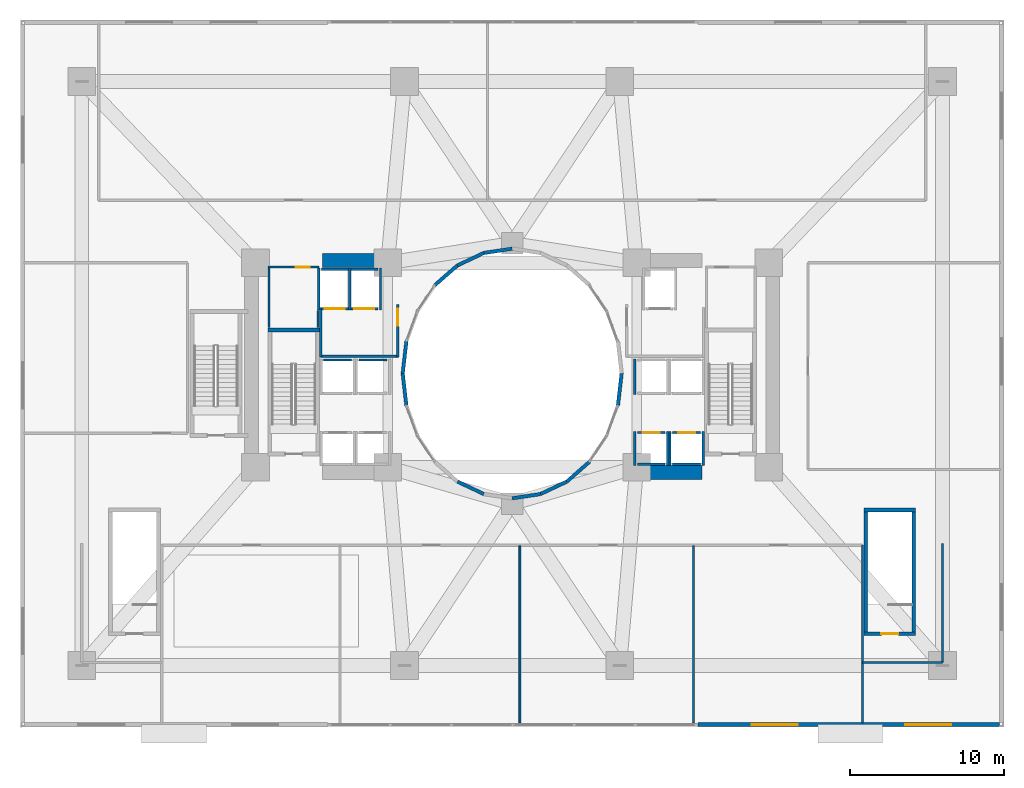
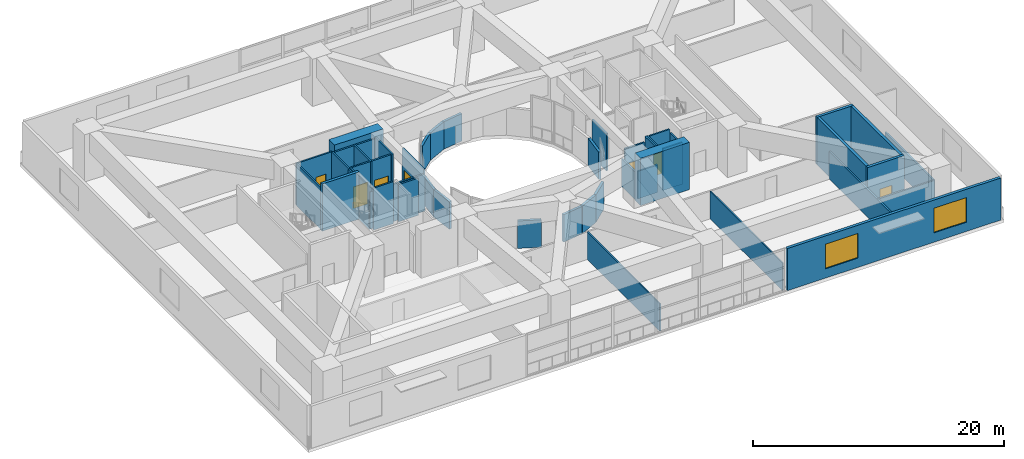
# One storey, part 19 of 27: 47 walls, 7 doors, 2 windows, 9 openings.
"""IFC4 building model written with IfcOpenShell, lengths in metres."""

from ifc_helpers import new_model, si_unit, direction, frame, frame_2d, origin, place, context, subcontext, project, spatial, rectangle, extrude, material, layer, layer_set, type_object, element, fill, save


model = new_model("IFC4")

# Units and contexts
model_context = context("Model", 3, precision=1e-05, world=origin(), true_north=direction((0.0, 1.0)))
body_context = subcontext(model_context, "Body", "Model", "MODEL_VIEW")
ifc_project = project(units=[si_unit("LENGTHUNIT", "METRE"), si_unit("AREAUNIT", "SQUARE_METRE"), si_unit("VOLUMEUNIT", "CUBIC_METRE"), si_unit("PLANEANGLEUNIT", "RADIAN"), si_unit("MASSUNIT", "GRAM", prefix="KILO")], contexts=[model_context])

# Site, building, storey
site_placement = place(None, origin())
site = spatial("IfcSite", under=ifc_project, at=site_placement, CompositionType="ELEMENT")
building_placement = place(site_placement, origin())
building = spatial("IfcBuilding", under=site, at=building_placement, Name="Solvane Sanctuary Tower", CompositionType="ELEMENT")
storey_placement = place(building_placement, frame((0.0, 0.0, 23.0)))
storey = spatial("IfcBuildingStorey", under=building, at=storey_placement, Name="L06", CompositionType="ELEMENT", Elevation=23.0)

# Walls
ifc_material_1 = material(Name="Concrete C70/85", Category="concrete")
ifc_layer_1 = layer(ifc_material_1, 0.89990234375, Name="Concrete C70/85")
ifc_layer_set_1 = layer_set([ifc_layer_1], Name="Concrete C70/85")
wall_type_1 = type_object("IfcWallType", Name="Wall W-CORE-900", PredefinedType="SHEAR", material=ifc_layer_set_1)
for number, where, z_axis, x_axis, name in (
    (1, (19.64990234375, 30.35009765625, 0.0), (0.0, 0.0, 1.0), (1.0, 0.0, 0.0), "L06 Core Shear Wall WC-N"),
    (2, (39.85009765625, 16.550048828125, 0.0), (0.0, 0.0, 1.0), (1.0, 0.0, 0.0), "L06 Core Shear Wall EC-S"),
):
    element("IfcWall", number, at=place(storey_placement, frame(where, z_axis=z_axis, x_axis=x_axis)), inside=storey, type_object=wall_type_1, Name=name, PredefinedType="SHEAR", context=body_context, shape_type="SweptSolid", body=[
        extrude(rectangle(XDim=4.5, YDim=0.89990234375, at=frame_2d((2.25, 0.0))), origin(), (0.0, 0.0, 1.0), 4.60009765625),
    ])
ifc_material_2 = material(Name="Acoustic Gypsum Partition Board")
ifc_layer_2 = layer(ifc_material_2, 0.14990234375, Name="Acoustic Gypsum Partition Board")
ifc_layer_set_2 = layer_set([ifc_layer_2], Name="Acoustic Gypsum Partition Board")
wall_type_2 = type_object("IfcWallType", Name="Wall W-CORR-150", PredefinedType="PARTITIONING", material=ifc_layer_set_2)
wall_1_placement = place(storey_placement, frame((19.52001953125, 24.1201171875, 0.0), z_axis=(0.0, 0.0, 1.0), x_axis=(1.0, 0.0, 0.0)))
element("IfcWall", 3, at=wall_1_placement, inside=storey, type_object=wall_type_2, Name="L06 West Firefighting Lobby South Wall", PredefinedType="PARTITIONING", context=body_context, shape_type="SweptSolid", body=[
    extrude(rectangle(XDim=5.080078125, YDim=0.14990234375, at=frame_2d((2.5400390625, 0.0))), origin(), (0.0, 0.0, 1.0), 3.6201171875),
])
wall_2_placement = place(storey_placement, frame((19.550048828125, 24.080078125, 0.0), z_axis=(0.0, 0.0, 1.0), x_axis=(0.0, 1.0, 0.0)))
element("IfcWall", 4, at=wall_2_placement, inside=storey, type_object=wall_type_2, Name="L06 West Firefighting Lobby West Wall", PredefinedType="PARTITIONING", context=body_context, shape_type="SweptSolid", body=[
    extrude(rectangle(XDim=3.199951171875, YDim=0.14990234375, at=frame_2d((1.60009765625, 0.0))), origin(), (0.0, 0.0, 1.0), 4.074951171875),
])

# Wall, opening, door
wall_3_placement = place(storey_placement, frame((24.550048828125, 24.080078125, 0.0), z_axis=(0.0, 0.0, 1.0), x_axis=(0.0, 1.0, 0.0)))
wall_3 = element("IfcWall", 5, at=wall_3_placement, inside=storey, type_object=wall_type_2, Name="L06 West Firefighting Lobby East Wall", PredefinedType="PARTITIONING", context=body_context, shape_type="SweptSolid", body=[
    extrude(rectangle(XDim=3.39990234375, YDim=0.14990234375, at=frame_2d((1.699951171875, 0.0))), origin(), (0.0, 0.0, 1.0), 4.074951171875),
])
opening_1_placement = place(wall_3_placement, frame((2.02001953125, 0.0, 0.0)))
opening_1 = element("IfcOpeningElement", 6, at=opening_1_placement, cuts=wall_3, Name="Opening D-L06-06", PredefinedType="OPENING", context=body_context, shape_type="SweptSolid", body=[
    extrude(rectangle(XDim=1.10009765625, YDim=2.10009765625, at=frame_2d((0.550048828125, 1.050048828125))), frame((0.0, 0.0849609375, 0.0), z_axis=(0.0, -1.0, 0.0), x_axis=(1.0, 0.0, 0.0)), (0.0, 0.0, 1.0), 0.169921875),
])
ifc_material_3 = material(Name="Architectural Stainless Steel 316", Category="steel")
door_type_1 = type_object("IfcDoorType", Name="Door D-FFL", OperationType="NOTDEFINED", PredefinedType="DOOR", material=ifc_material_3)
door_1_placement = place(opening_1_placement, origin())
door_1 = element("IfcDoor", 7, at=door_1_placement, inside=storey, type_object=door_type_1, Name="L06 West Firefighting Lobby Fire Door", OperationType="SINGLE_SWING_RIGHT", OverallHeight=2.10009765625, OverallWidth=1.10009765625, PredefinedType="DOOR", context=body_context, shape_type="SweptSolid", body=[
    extrude(rectangle(XDim=1.10009765625, YDim=2.10009765625, at=frame_2d((0.550048828125, 1.050048828125))), frame((0.0, 0.02490234375, 0.0), z_axis=(0.0, -1.0, 0.0), x_axis=(1.0, 0.0, 0.0)), (0.0, 0.0, 1.0), 0.050048828125),
])
fill(opening_1, door_1)

# Walls
wall_4_placement = place(storey_placement, frame((54.800048828125, 0.25, 0.0), z_axis=(0.0, 0.0, 1.0), x_axis=(0.0, 1.0, 0.0)))
element("IfcWall", 8, at=wall_4_placement, inside=storey, type_object=wall_type_2, Name="L06 East Hall End Wall", PredefinedType="PARTITIONING", context=body_context, shape_type="SweptSolid", body=[
    extrude(rectangle(XDim=11.580078125, YDim=0.14990234375, at=frame_2d((5.7900390625, 0.0))), origin(), (0.0, 0.0, 1.0), 2.669921875),
])
wall_5_placement = place(storey_placement, frame((60.0, 4.199951171875, 0.0), z_axis=(0.0, 0.0, 1.0), x_axis=(0.0, 1.0, 0.0)))
element("IfcWall", 9, at=wall_5_placement, inside=storey, type_object=wall_type_2, Name="L06 ST-5 Link East Wall", PredefinedType="PARTITIONING", context=body_context, shape_type="SweptSolid", body=[
    extrude(rectangle(XDim=7.75, YDim=0.14990234375, at=frame_2d((3.875, 0.0))), origin(), (0.0, 0.0, 1.0), 2.669921875),
])
wall_6_placement = place(storey_placement, frame((54.800048828125, 4.199951171875, 0.0), z_axis=(0.0, 0.0, 1.0), x_axis=(1.0, 0.0, 0.0)))
element("IfcWall", 10, at=wall_6_placement, inside=storey, type_object=wall_type_2, Name="L06 ST-5 Lobby South Wall", PredefinedType="PARTITIONING", context=body_context, shape_type="SweptSolid", body=[
    extrude(rectangle(XDim=5.199951171875, YDim=0.14990234375, at=frame_2d((2.60009765625, 0.0))), origin(), (0.0, 0.0, 1.0), 2.669921875),
])

# Wall, openings, windows
ifc_material_4 = material(Name="Precast concrete C40/50", Category="concrete")
ifc_layer_3 = layer(ifc_material_4, 0.260009765625, Name="Precast concrete C40/50")
ifc_layer_set_3 = layer_set([ifc_layer_3], Name="Precast concrete C40/50")
wall_type_3 = type_object("IfcWallType", Name="Wall W-EXT-250", PredefinedType="STANDARD", material=ifc_layer_set_3)
wall_7_placement = place(storey_placement, frame((44.080078125, 0.14990234375, 0.0), z_axis=(0.0, 0.0, 1.0), x_axis=(1.0, 0.0, 0.0)))
wall_7 = element("IfcWall", 11, at=wall_7_placement, inside=storey, type_object=wall_type_3, Name="L06 Podium Facade Wall S3", PredefinedType="STANDARD", context=body_context, shape_type="SweptSolid", body=[
    extrude(rectangle(XDim=19.639892578125, YDim=0.260009765625, at=frame_2d((9.81982421875, 0.0))), origin(), (0.0, 0.0, 1.0), 4.10009765625),
])
opening_2_placement = place(wall_7_placement, frame((3.5, 0.0, 0.89990234375)))
opening_2 = element("IfcOpeningElement", 12, at=opening_2_placement, cuts=wall_7, Name="Opening WN-POD-3000", PredefinedType="OPENING", context=body_context, shape_type="SweptSolid", body=[
    extrude(rectangle(XDim=3.0, YDim=2.39990234375, at=frame_2d((1.5, 1.199951171875))), frame((0.0, 0.139892578125, 0.0), z_axis=(0.0, -1.0, 0.0), x_axis=(1.0, 0.0, 0.0)), (0.0, 0.0, 1.0), 0.280029296875),
])
opening_3_placement = place(wall_7_placement, frame((13.5, 0.0, 0.89990234375)))
opening_3 = element("IfcOpeningElement", 13, at=opening_3_placement, cuts=wall_7, Name="Opening WN-POD-3000", PredefinedType="OPENING", context=body_context, shape_type="SweptSolid", body=[
    extrude(rectangle(XDim=3.0, YDim=2.39990234375, at=frame_2d((1.5, 1.199951171875))), frame((0.0, 0.139892578125, 0.0), z_axis=(0.0, -1.0, 0.0), x_axis=(1.0, 0.0, 0.0)), (0.0, 0.0, 1.0), 0.280029296875),
])
ifc_material_5 = material(Name="Dark Ceramic-Fritted Low-E Glass", Category="glass")
window_type = type_object("IfcWindowType", Name="Window WN-POD-3000", PartitioningType="SINGLE_PANEL", PredefinedType="WINDOW", material=ifc_material_5)
window_1_placement = place(opening_2_placement, origin())
window_1 = element("IfcWindow", 14, at=window_1_placement, inside=storey, type_object=window_type, Name="L06 Podium Window S3-3", OverallHeight=2.39990234375, OverallWidth=3.0, PartitioningType="SINGLE_PANEL", PredefinedType="WINDOW", context=body_context, shape_type="SweptSolid", body=[
    extrude(rectangle(XDim=3.0, YDim=2.39990234375, at=frame_2d((1.5, 1.199951171875))), frame((0.0, 0.030029296875, 0.0), z_axis=(0.0, -1.0, 0.0), x_axis=(1.0, 0.0, 0.0)), (0.0, 0.0, 1.0), 0.06005859375),
])
fill(opening_2, window_1)
window_2_placement = place(opening_3_placement, origin())
window_2 = element("IfcWindow", 15, at=window_2_placement, inside=storey, type_object=window_type, Name="L06 Podium Window S3-13", OverallHeight=2.39990234375, OverallWidth=3.0, PartitioningType="SINGLE_PANEL", PredefinedType="WINDOW", context=body_context, shape_type="SweptSolid", body=[
    extrude(rectangle(XDim=3.0, YDim=2.39990234375, at=frame_2d((1.5, 1.199951171875))), frame((0.0, 0.030029296875, 0.0), z_axis=(0.0, -1.0, 0.0), x_axis=(1.0, 0.0, 0.0)), (0.0, 0.0, 1.0), 0.06005859375),
])
fill(opening_3, window_2)

# Walls
ifc_layer_4 = layer(ifc_material_4, 0.22998046875, Name="Precast concrete C40/50")
ifc_layer_set_4 = layer_set([ifc_layer_4], Name="Precast concrete C40/50")
wall_type_4 = type_object("IfcWallType", Name="Wall W-EXT-SP220", PredefinedType="STANDARD", material=ifc_layer_set_4)
wall_8_placement = place(storey_placement, frame((32.0, 31.1201171875, 0.0), z_axis=(0.0, 0.0, 1.0), x_axis=(-0.988901730308, -0.148571086668, 0.0)))
element("IfcWall", 16, at=wall_8_placement, inside=storey, type_object=wall_type_4, Name="L06 Light-Well Enclosure Wall 06", PredefinedType="STANDARD", context=body_context, shape_type="SweptSolid", body=[
    extrude(rectangle(XDim=1.863525390625, YDim=0.22998046875, at=frame_2d((0.931640625, 0.0))), origin(), (0.0, 0.0, 1.0), 2.669921875),
])
wall_9_placement = place(storey_placement, frame((30.1572265625, 30.84326171875, 0.0), z_axis=(0.0, 0.0, 1.0), x_axis=(-0.904179699603, -0.427152280606, 0.0)))
element("IfcWall", 17, at=wall_9_placement, inside=storey, type_object=wall_type_4, Name="L06 Light-Well Enclosure Wall 07", PredefinedType="STANDARD", context=body_context, shape_type="SweptSolid", body=[
    extrude(rectangle(XDim=1.899169921875, YDim=0.22998046875, at=frame_2d((0.94970703125, 0.0))), origin(), (0.0, 0.0, 1.0), 2.669921875),
])
wall_10_placement = place(storey_placement, frame((28.43994140625, 30.031982421875, 0.0), z_axis=(0.0, 0.0, 1.0), x_axis=(-0.752576694707, -0.658504607869, 0.0)))
element("IfcWall", 18, at=wall_10_placement, inside=storey, type_object=wall_type_4, Name="L06 Light-Well Enclosure Wall 08", PredefinedType="STANDARD", context=body_context, shape_type="SweptSolid", body=[
    extrude(rectangle(XDim=1.95947265625, YDim=0.22998046875, at=frame_2d((0.979736328125, 0.0))), origin(), (0.0, 0.0, 1.0), 2.669921875),
])
for number, where, z_axis, x_axis, name in (
    (19, (25.12255859375, 25.1015625, 0.0), (0.0, 0.0, 1.0), (-0.114711713601, -0.993398823617, 0.0), "L06 Light-Well Enclosure Wall 11"),
    (20, (24.8798828125, 23.0, 0.0), (0.0, 0.0, 1.0), (0.114711713601, -0.993398823617, 0.0), "L06 Light-Well Enclosure Wall 12"),
):
    element("IfcWall", number, at=place(storey_placement, frame(where, z_axis=z_axis, x_axis=x_axis)), inside=storey, type_object=wall_type_4, Name=name, PredefinedType="STANDARD", context=body_context, shape_type="SweptSolid", body=[
        extrude(rectangle(XDim=2.115478515625, YDim=0.22998046875, at=frame_2d((1.0576171875, 0.0))), origin(), (0.0, 0.0, 1.0), 2.669921875),
    ])
wall_11_placement = place(storey_placement, frame((28.43994140625, 15.968017578125, 0.0), z_axis=(0.0, 0.0, 1.0), x_axis=(0.904179699603, -0.427152280606, 0.0)))
element("IfcWall", 21, at=wall_11_placement, inside=storey, type_object=wall_type_4, Name="L06 Light-Well Enclosure Wall 16", PredefinedType="STANDARD", context=body_context, shape_type="SweptSolid", body=[
    extrude(rectangle(XDim=1.899169921875, YDim=0.22998046875, at=frame_2d((0.94970703125, 0.0))), origin(), (0.0, 0.0, 1.0), 2.669921875),
])
wall_12_placement = place(storey_placement, frame((32.0, 14.8798828125, 0.0), z_axis=(0.0, 0.0, 1.0), x_axis=(0.988901730308, 0.148571086668, 0.0)))
element("IfcWall", 22, at=wall_12_placement, inside=storey, type_object=wall_type_4, Name="L06 Light-Well Enclosure Wall 18", PredefinedType="STANDARD", context=body_context, shape_type="SweptSolid", body=[
    extrude(rectangle(XDim=1.863525390625, YDim=0.22998046875, at=frame_2d((0.931640625, 0.0))), origin(), (0.0, 0.0, 1.0), 2.669921875),
])
wall_13_placement = place(storey_placement, frame((33.8427734375, 15.15673828125, 0.0), z_axis=(0.0, 0.0, 1.0), x_axis=(0.904179699603, 0.427152280606, 0.0)))
element("IfcWall", 23, at=wall_13_placement, inside=storey, type_object=wall_type_4, Name="L06 Light-Well Enclosure Wall 19", PredefinedType="STANDARD", context=body_context, shape_type="SweptSolid", body=[
    extrude(rectangle(XDim=1.899169921875, YDim=0.22998046875, at=frame_2d((0.94970703125, 0.0))), origin(), (0.0, 0.0, 1.0), 2.669921875),
])
wall_14_placement = place(storey_placement, frame((35.56005859375, 15.968017578125, 0.0), z_axis=(0.0, 0.0, 1.0), x_axis=(0.752576694707, 0.658504607869, 0.0)))
element("IfcWall", 24, at=wall_14_placement, inside=storey, type_object=wall_type_4, Name="L06 Light-Well Enclosure Wall 20", PredefinedType="STANDARD", context=body_context, shape_type="SweptSolid", body=[
    extrude(rectangle(XDim=1.95947265625, YDim=0.22998046875, at=frame_2d((0.979736328125, 0.0))), origin(), (0.0, 0.0, 1.0), 2.669921875),
])
wall_15_placement = place(storey_placement, frame((38.87744140625, 20.8984375, 0.0), z_axis=(0.0, 0.0, 1.0), x_axis=(0.114711713601, 0.993398823617, 0.0)))
element("IfcWall", 25, at=wall_15_placement, inside=storey, type_object=wall_type_4, Name="L06 Light-Well Enclosure Wall 23", PredefinedType="STANDARD", context=body_context, shape_type="SweptSolid", body=[
    extrude(rectangle(XDim=2.115478515625, YDim=0.22998046875, at=frame_2d((1.0576171875, 0.0))), origin(), (0.0, 0.0, 1.0), 2.669921875),
])
ifc_layer_5 = layer(ifc_material_2, 0.1201171875, Name="Acoustic Gypsum Partition Board")
ifc_layer_set_5 = layer_set([ifc_layer_5], Name="Acoustic Gypsum Partition Board")
wall_type_5 = type_object("IfcWallType", Name="Wall W-MOV-100", PredefinedType="MOVABLE", material=ifc_layer_set_5)
for number, where, z_axis, x_axis, name in (
    (26, (32.5, 0.25, 0.0), (0.0, 0.0, 1.0), (0.0, 1.0, 0.0), "L06 Hall Dividing Partition CLIN-2"),
    (27, (43.800048828125, 0.25, 0.0), (0.0, 0.0, 1.0), (0.0, 1.0, 0.0), "L06 Hall Dividing Partition PHARM"),
):
    element("IfcWall", number, at=place(storey_placement, frame(where, z_axis=z_axis, x_axis=x_axis)), inside=storey, type_object=wall_type_5, Name=name, PredefinedType="MOVABLE", context=body_context, shape_type="SweptSolid", body=[
        extrude(rectangle(XDim=11.530029296875, YDim=0.1201171875, at=frame_2d((5.76513671875, 0.0))), origin(), (0.0, 0.0, 1.0), 2.669921875),
    ])

# Wall, opening, door
ifc_material_6 = material(Name="Concrete C50/60", Category="concrete")
ifc_layer_6 = layer(ifc_material_6, 0.14990234375, Name="Concrete C50/60")
ifc_layer_set_6 = layer_set([ifc_layer_6], Name="Concrete C50/60")
wall_type_6 = type_object("IfcWallType", Name="Wall W-SHAFT-150", PredefinedType="SOLIDWALL", material=ifc_layer_set_6)
wall_16_placement = place(storey_placement, frame((40.139892578125, 19.159912109375, 0.0), z_axis=(0.0, 0.0, 1.0), x_axis=(1.0, 0.0, 0.0)))
wall_16 = element("IfcWall", 28, at=wall_16_placement, inside=storey, type_object=wall_type_6, Name="L06 PL-3 Lift Shaft Wall F", PredefinedType="SOLIDWALL", context=body_context, shape_type="SweptSolid", body=[
    extrude(rectangle(XDim=1.820068359375, YDim=0.14990234375, at=frame_2d((0.91015625, 0.0))), origin(), (0.0, 0.0, 1.0), 3.6201171875),
])
opening_4_placement = place(wall_16_placement, frame((0.360107421875, 0.0, 0.0)))
opening_4 = element("IfcOpeningElement", 29, at=opening_4_placement, cuts=wall_16, Name="Opening LD-L06-03", PredefinedType="OPENING", context=body_context, shape_type="SweptSolid", body=[
    extrude(rectangle(XDim=1.10009765625, YDim=2.10009765625, at=frame_2d((0.550048828125, 1.050048828125))), frame((0.0, 0.0849609375, 0.0), z_axis=(0.0, -1.0, 0.0), x_axis=(1.0, 0.0, 0.0)), (0.0, 0.0, 1.0), 0.169921875),
])
door_type_2 = type_object("IfcDoorType", Name="Door LD-PASS-1100", OperationType="NOTDEFINED", PredefinedType="DOOR", material=ifc_material_3)
door_2_placement = place(opening_4_placement, origin())
door_2 = element("IfcDoor", 30, at=door_2_placement, inside=storey, type_object=door_type_2, Name="L06 PL-3 Lift Landing Door", OperationType="DOUBLE_DOOR_SLIDING", OverallHeight=2.10009765625, OverallWidth=1.10009765625, PredefinedType="DOOR", context=body_context, shape_type="SweptSolid", body=[
    extrude(rectangle(XDim=1.10009765625, YDim=2.10009765625, at=frame_2d((0.550048828125, 1.050048828125))), frame((0.0, 0.02490234375, 0.0), z_axis=(0.0, -1.0, 0.0), x_axis=(1.0, 0.0, 0.0)), (0.0, 0.0, 1.0), 0.050048828125),
])
fill(opening_4, door_2)

# Walls
wall_17_placement = place(storey_placement, frame((40.139892578125, 17.10009765625, 0.0), z_axis=(0.0, 0.0, 1.0), x_axis=(1.0, 0.0, 0.0)))
element("IfcWall", 31, at=wall_17_placement, inside=storey, type_object=wall_type_6, Name="L06 PL-3 Lift Shaft Wall B", PredefinedType="SOLIDWALL", context=body_context, shape_type="SweptSolid", body=[
    extrude(rectangle(XDim=1.820068359375, YDim=0.14990234375, at=frame_2d((0.91015625, 0.0))), origin(), (0.0, 0.0, 1.0), 2.669921875),
])
wall_18_placement = place(storey_placement, frame((39.969970703125, 17.02001953125, 0.0), z_axis=(0.0, 0.0, 1.0), x_axis=(0.0, 1.0, 0.0)))
element("IfcWall", 32, at=wall_18_placement, inside=storey, type_object=wall_type_6, Name="L06 PL-3 Lift Shaft Wall S1", PredefinedType="SOLIDWALL", context=body_context, shape_type="SweptSolid", body=[
    extrude(rectangle(XDim=2.219970703125, YDim=0.14990234375, at=frame_2d((1.10986328125, 0.0))), origin(), (0.0, 0.0, 1.0), 2.669921875),
])
wall_19_placement = place(storey_placement, frame((42.1298828125, 17.02001953125, 0.0), z_axis=(0.0, 0.0, 1.0), x_axis=(0.0, 1.0, 0.0)))
element("IfcWall", 33, at=wall_19_placement, inside=storey, type_object=wall_type_6, Name="L06 PL-3 Lift Shaft Wall S2", PredefinedType="SOLIDWALL", context=body_context, shape_type="SweptSolid", body=[
    extrude(rectangle(XDim=2.219970703125, YDim=0.14990234375, at=frame_2d((1.10986328125, 0.0))), origin(), (0.0, 0.0, 1.0), 4.074951171875),
])

# Wall, opening, door
wall_20_placement = place(storey_placement, frame((42.43994140625, 19.159912109375, 0.0), z_axis=(0.0, 0.0, 1.0), x_axis=(1.0, 0.0, 0.0)))
wall_20 = element("IfcWall", 34, at=wall_20_placement, inside=storey, type_object=wall_type_6, Name="L06 PL-4 Lift Shaft Wall F", PredefinedType="SOLIDWALL", context=body_context, shape_type="SweptSolid", body=[
    extrude(rectangle(XDim=1.820068359375, YDim=0.14990234375, at=frame_2d((0.91015625, 0.0))), origin(), (0.0, 0.0, 1.0), 4.074951171875),
])
opening_5_placement = place(wall_20_placement, frame((0.360107421875, 0.0, 0.0)))
opening_5 = element("IfcOpeningElement", 35, at=opening_5_placement, cuts=wall_20, Name="Opening LD-L06-04", PredefinedType="OPENING", context=body_context, shape_type="SweptSolid", body=[
    extrude(rectangle(XDim=1.10009765625, YDim=2.10009765625, at=frame_2d((0.550048828125, 1.050048828125))), frame((0.0, 0.0849609375, 0.0), z_axis=(0.0, -1.0, 0.0), x_axis=(1.0, 0.0, 0.0)), (0.0, 0.0, 1.0), 0.169921875),
])
door_3_placement = place(opening_5_placement, origin())
door_3 = element("IfcDoor", 36, at=door_3_placement, inside=storey, type_object=door_type_2, Name="L06 PL-4 Lift Landing Door", OperationType="DOUBLE_DOOR_SLIDING", OverallHeight=2.10009765625, OverallWidth=1.10009765625, PredefinedType="DOOR", context=body_context, shape_type="SweptSolid", body=[
    extrude(rectangle(XDim=1.10009765625, YDim=2.10009765625, at=frame_2d((0.550048828125, 1.050048828125))), frame((0.0, 0.02490234375, 0.0), z_axis=(0.0, -1.0, 0.0), x_axis=(1.0, 0.0, 0.0)), (0.0, 0.0, 1.0), 0.050048828125),
])
fill(opening_5, door_3)

# Walls
wall_21_placement = place(storey_placement, frame((42.43994140625, 17.10009765625, 0.0), z_axis=(0.0, 0.0, 1.0), x_axis=(1.0, 0.0, 0.0)))
element("IfcWall", 37, at=wall_21_placement, inside=storey, type_object=wall_type_6, Name="L06 PL-4 Lift Shaft Wall B", PredefinedType="SOLIDWALL", context=body_context, shape_type="SweptSolid", body=[
    extrude(rectangle(XDim=1.820068359375, YDim=0.14990234375, at=frame_2d((0.91015625, 0.0))), origin(), (0.0, 0.0, 1.0), 4.074951171875),
])
wall_22_placement = place(storey_placement, frame((42.27001953125, 17.02001953125, 0.0), z_axis=(0.0, 0.0, 1.0), x_axis=(0.0, 1.0, 0.0)))
element("IfcWall", 38, at=wall_22_placement, inside=storey, type_object=wall_type_6, Name="L06 PL-4 Lift Shaft Wall S1", PredefinedType="SOLIDWALL", context=body_context, shape_type="SweptSolid", body=[
    extrude(rectangle(XDim=2.219970703125, YDim=0.14990234375, at=frame_2d((1.10986328125, 0.0))), origin(), (0.0, 0.0, 1.0), 4.074951171875),
])
wall_23_placement = place(storey_placement, frame((44.429931640625, 17.02001953125, 0.0), z_axis=(0.0, 0.0, 1.0), x_axis=(0.0, 1.0, 0.0)))
element("IfcWall", 39, at=wall_23_placement, inside=storey, type_object=wall_type_6, Name="L06 PL-4 Lift Shaft Wall S2", PredefinedType="SOLIDWALL", context=body_context, shape_type="SweptSolid", body=[
    extrude(rectangle(XDim=2.219970703125, YDim=0.14990234375, at=frame_2d((1.10986328125, 0.0))), origin(), (0.0, 0.0, 1.0), 3.6201171875),
])
wall_24_placement = place(storey_placement, frame((19.739990234375, 23.8798828125, 0.0), z_axis=(0.0, 0.0, 1.0), x_axis=(1.0, 0.0, 0.0)))
element("IfcWall", 40, at=wall_24_placement, inside=storey, type_object=wall_type_6, Name="L06 PM-1 Lift Shaft Wall B", PredefinedType="SOLIDWALL", context=body_context, shape_type="SweptSolid", body=[
    extrude(rectangle(XDim=1.820068359375, YDim=0.14990234375, at=frame_2d((0.91015625, 0.0))), origin(), (0.0, 0.0, 1.0), 4.074951171875),
])
wall_25_placement = place(storey_placement, frame((22.0400390625, 23.8798828125, 0.0), z_axis=(0.0, 0.0, 1.0), x_axis=(1.0, 0.0, 0.0)))
element("IfcWall", 41, at=wall_25_placement, inside=storey, type_object=wall_type_6, Name="L06 PH-1 Lift Shaft Wall B", PredefinedType="SOLIDWALL", context=body_context, shape_type="SweptSolid", body=[
    extrude(rectangle(XDim=1.820068359375, YDim=0.14990234375, at=frame_2d((0.91015625, 0.0))), origin(), (0.0, 0.0, 1.0), 3.6201171875),
])
wall_26_placement = place(storey_placement, frame((39.969970703125, 21.639892578125, 0.0), z_axis=(0.0, 0.0, 1.0), x_axis=(0.0, 1.0, 0.0)))
element("IfcWall", 42, at=wall_26_placement, inside=storey, type_object=wall_type_6, Name="L06 PH-2 Lift Shaft Wall S1", PredefinedType="SOLIDWALL", context=body_context, shape_type="SweptSolid", body=[
    extrude(rectangle(XDim=2.320068359375, YDim=0.14990234375, at=frame_2d((1.16015625, 0.0))), origin(), (0.0, 0.0, 1.0), 3.6201171875),
])

# Wall, opening, door
wall_27_placement = place(storey_placement, frame((19.590087890625, 27.219970703125, 0.0), z_axis=(0.0, 0.0, 1.0), x_axis=(1.0, 0.0, 0.0)))
wall_27 = element("IfcWall", 43, at=wall_27_placement, inside=storey, type_object=wall_type_6, Name="L06 FFL-1 Lift Shaft Wall F", PredefinedType="SOLIDWALL", context=body_context, shape_type="SweptSolid", body=[
    extrude(rectangle(XDim=1.760009765625, YDim=0.14990234375, at=frame_2d((0.8798828125, 0.0))), origin(), (0.0, 0.0, 1.0), 4.074951171875),
])
opening_6_placement = place(wall_27_placement, frame((0.22998046875, 0.0, 0.0)))
opening_6 = element("IfcOpeningElement", 44, at=opening_6_placement, cuts=wall_27, Name="Opening LD-L06-05", PredefinedType="OPENING", context=body_context, shape_type="SweptSolid", body=[
    extrude(rectangle(XDim=1.300048828125, YDim=2.10009765625, at=frame_2d((0.64990234375, 1.050048828125))), frame((0.0, 0.0849609375, 0.0), z_axis=(0.0, -1.0, 0.0), x_axis=(1.0, 0.0, 0.0)), (0.0, 0.0, 1.0), 0.169921875),
])
door_type_3 = type_object("IfcDoorType", Name="Door LD-FFL-1300", OperationType="NOTDEFINED", PredefinedType="DOOR", material=ifc_material_3)
door_4_placement = place(opening_6_placement, origin())
door_4 = element("IfcDoor", 45, at=door_4_placement, inside=storey, type_object=door_type_3, Name="L06 FFL-1 Lift Landing Door", OperationType="DOUBLE_DOOR_SLIDING", OverallHeight=2.10009765625, OverallWidth=1.300048828125, PredefinedType="DOOR", context=body_context, shape_type="SweptSolid", body=[
    extrude(rectangle(XDim=1.300048828125, YDim=2.10009765625, at=frame_2d((0.64990234375, 1.050048828125))), frame((0.0, 0.02490234375, 0.0), z_axis=(0.0, -1.0, 0.0), x_axis=(1.0, 0.0, 0.0)), (0.0, 0.0, 1.0), 0.050048828125),
])
fill(opening_6, door_4)

# Walls
wall_28_placement = place(storey_placement, frame((19.590087890625, 29.780029296875, 0.0), z_axis=(0.0, 0.0, 1.0), x_axis=(1.0, 0.0, 0.0)))
element("IfcWall", 46, at=wall_28_placement, inside=storey, type_object=wall_type_6, Name="L06 FFL-1 Lift Shaft Wall B", PredefinedType="SOLIDWALL", context=body_context, shape_type="SweptSolid", body=[
    extrude(rectangle(XDim=1.760009765625, YDim=0.14990234375, at=frame_2d((0.8798828125, 0.0))), origin(), (0.0, 0.0, 1.0), 4.074951171875),
])
for number, where, z_axis, x_axis, name in (
    (47, (19.419921875, 27.139892578125, 0.0), (0.0, 0.0, 1.0), (0.0, 1.0, 0.0), "L06 FFL-1 Lift Shaft Wall S1"),
    (48, (21.425048828125, 27.139892578125, 0.0), (0.0, 0.0, 1.0), (0.0, 1.0, 0.0), "L06 FFL-1 Lift Shaft Wall S2"),
):
    element("IfcWall", number, at=place(storey_placement, frame(where, z_axis=z_axis, x_axis=x_axis)), inside=storey, type_object=wall_type_6, Name=name, PredefinedType="SOLIDWALL", context=body_context, shape_type="SweptSolid", body=[
        extrude(rectangle(XDim=2.72021484375, YDim=0.14990234375, at=frame_2d((1.360107421875, 0.0))), origin(), (0.0, 0.0, 1.0), 4.074951171875),
    ])

# Wall, opening, door
wall_29_placement = place(storey_placement, frame((21.5, 27.219970703125, 0.0), z_axis=(0.0, 0.0, 1.0), x_axis=(1.0, 0.0, 0.0)))
wall_29 = element("IfcWall", 49, at=wall_29_placement, inside=storey, type_object=wall_type_6, Name="L06 SVL-1 Lift Shaft Wall F", PredefinedType="SOLIDWALL", context=body_context, shape_type="SweptSolid", body=[
    extrude(rectangle(XDim=1.760009765625, YDim=0.14990234375, at=frame_2d((0.8798828125, 0.0))), origin(), (0.0, 0.0, 1.0), 4.074951171875),
])
opening_7_placement = place(wall_29_placement, frame((0.22998046875, 0.0, 0.0)))
opening_7 = element("IfcOpeningElement", 50, at=opening_7_placement, cuts=wall_29, Name="Opening LD-L06-06", PredefinedType="OPENING", context=body_context, shape_type="SweptSolid", body=[
    extrude(rectangle(XDim=1.300048828125, YDim=2.10009765625, at=frame_2d((0.64990234375, 1.050048828125))), frame((0.0, 0.0849609375, 0.0), z_axis=(0.0, -1.0, 0.0), x_axis=(1.0, 0.0, 0.0)), (0.0, 0.0, 1.0), 0.169921875),
])
door_5_placement = place(opening_7_placement, origin())
door_5 = element("IfcDoor", 51, at=door_5_placement, inside=storey, type_object=door_type_3, Name="L06 SVL-1 Lift Landing Door", OperationType="DOUBLE_DOOR_SLIDING", OverallHeight=2.10009765625, OverallWidth=1.300048828125, PredefinedType="DOOR", context=body_context, shape_type="SweptSolid", body=[
    extrude(rectangle(XDim=1.300048828125, YDim=2.10009765625, at=frame_2d((0.64990234375, 1.050048828125))), frame((0.0, 0.02490234375, 0.0), z_axis=(0.0, -1.0, 0.0), x_axis=(1.0, 0.0, 0.0)), (0.0, 0.0, 1.0), 0.050048828125),
])
fill(opening_7, door_5)

# Walls
wall_30_placement = place(storey_placement, frame((21.5, 29.780029296875, 0.0), z_axis=(0.0, 0.0, 1.0), x_axis=(1.0, 0.0, 0.0)))
element("IfcWall", 52, at=wall_30_placement, inside=storey, type_object=wall_type_6, Name="L06 SVL-1 Lift Shaft Wall B", PredefinedType="SOLIDWALL", context=body_context, shape_type="SweptSolid", body=[
    extrude(rectangle(XDim=1.760009765625, YDim=0.14990234375, at=frame_2d((0.8798828125, 0.0))), origin(), (0.0, 0.0, 1.0), 4.074951171875),
])
wall_31_placement = place(storey_placement, frame((23.429931640625, 27.139892578125, 0.0), z_axis=(0.0, 0.0, 1.0), x_axis=(0.0, 1.0, 0.0)))
element("IfcWall", 53, at=wall_31_placement, inside=storey, type_object=wall_type_6, Name="L06 SVL-1 Lift Shaft Wall S2", PredefinedType="SOLIDWALL", context=body_context, shape_type="SweptSolid", body=[
    extrude(rectangle(XDim=2.72021484375, YDim=0.14990234375, at=frame_2d((1.360107421875, 0.0))), origin(), (0.0, 0.0, 1.0), 4.074951171875),
])
ifc_layer_7 = layer(ifc_material_6, 0.25, Name="Concrete C50/60")
ifc_layer_set_7 = layer_set([ifc_layer_7], Name="Concrete C50/60")
wall_type_7 = type_object("IfcWallType", Name="Wall W-SHAFT-250", PredefinedType="SOLIDWALL", material=ifc_layer_set_7)
wall_32_placement = place(storey_placement, frame((16.10498046875, 25.830078125, 0.0), z_axis=(0.0, 0.0, 1.0), x_axis=(1.0, 0.0, 0.0)))
element("IfcWall", 54, at=wall_32_placement, inside=storey, type_object=wall_type_7, Name="L06 ST-1 Load-Bearing Shaft Wall N", PredefinedType="SOLIDWALL", context=body_context, shape_type="SweptSolid", body=[
    extrude(rectangle(XDim=3.3701171875, YDim=0.25, at=frame_2d((1.68505859375, 0.0))), origin(), (0.0, 0.0, 1.0), 4.60009765625),
])

# Wall, opening, door
wall_33_placement = place(storey_placement, frame((54.885009765625, 6.070068359375, 0.0), z_axis=(0.0, 0.0, 1.0), x_axis=(1.0, 0.0, 0.0)))
wall_33 = element("IfcWall", 55, at=wall_33_placement, inside=storey, type_object=wall_type_7, Name="L06 ST-5 Load-Bearing Shaft Wall S", PredefinedType="SOLIDWALL", context=body_context, shape_type="SweptSolid", body=[
    extrude(rectangle(XDim=3.369873046875, YDim=0.25, at=frame_2d((1.68505859375, 0.0))), origin(), (0.0, 0.0, 1.0), 4.60009765625),
])
opening_8_placement = place(wall_33_placement, frame((1.135009765625, 0.0, 0.0)))
opening_8 = element("IfcOpeningElement", 56, at=opening_8_placement, cuts=wall_33, Name="Opening D-L06-05", PredefinedType="OPENING", context=body_context, shape_type="SweptSolid", body=[
    extrude(rectangle(XDim=1.10009765625, YDim=2.10009765625, at=frame_2d((0.550048828125, 1.050048828125))), frame((0.0, 0.135009765625, 0.0), z_axis=(0.0, -1.0, 0.0), x_axis=(1.0, 0.0, 0.0)), (0.0, 0.0, 1.0), 0.27001953125),
])
door_type_4 = type_object("IfcDoorType", Name="Door D-STAIR", OperationType="NOTDEFINED", PredefinedType="DOOR", material=ifc_material_3)
door_6_placement = place(opening_8_placement, origin())
door_6 = element("IfcDoor", 57, at=door_6_placement, inside=storey, type_object=door_type_4, Name="L06 ST-5 Exit Stair Fire Door", OperationType="SINGLE_SWING_RIGHT", OverallHeight=2.10009765625, OverallWidth=1.10009765625, PredefinedType="DOOR", context=body_context, shape_type="SweptSolid", body=[
    extrude(rectangle(XDim=1.10009765625, YDim=2.10009765625, at=frame_2d((0.550048828125, 1.050048828125))), frame((0.0, 0.02490234375, 0.0), z_axis=(0.0, -1.0, 0.0), x_axis=(1.0, 0.0, 0.0)), (0.0, 0.0, 1.0), 0.050048828125),
])
fill(opening_8, door_6)

# Walls
wall_34_placement = place(storey_placement, frame((54.885009765625, 14.1298828125, 0.0), z_axis=(0.0, 0.0, 1.0), x_axis=(1.0, 0.0, 0.0)))
element("IfcWall", 58, at=wall_34_placement, inside=storey, type_object=wall_type_7, Name="L06 ST-5 Load-Bearing Shaft Wall N", PredefinedType="SOLIDWALL", context=body_context, shape_type="SweptSolid", body=[
    extrude(rectangle(XDim=3.369873046875, YDim=0.25, at=frame_2d((1.68505859375, 0.0))), origin(), (0.0, 0.0, 1.0), 4.60009765625),
])
for number, where, z_axis, x_axis, name in (
    (59, (55.010009765625, 6.195068359375, 0.0), (0.0, 0.0, 1.0), (0.0, 1.0, 0.0), "L06 ST-5 Load-Bearing Shaft Wall W"),
    (60, (58.1298828125, 6.195068359375, 0.0), (0.0, 0.0, 1.0), (0.0, 1.0, 0.0), "L06 ST-5 Load-Bearing Shaft Wall E"),
):
    element("IfcWall", number, at=place(storey_placement, frame(where, z_axis=z_axis, x_axis=x_axis)), inside=storey, type_object=wall_type_7, Name=name, PredefinedType="SOLIDWALL", context=body_context, shape_type="SweptSolid", body=[
        extrude(rectangle(XDim=7.809814453125, YDim=0.25, at=frame_2d((3.90478515625, 0.0))), origin(), (0.0, 0.0, 1.0), 4.60009765625),
    ])

# Wall, opening, door
ifc_layer_8 = layer(ifc_material_2, 0.139892578125, Name="Acoustic Gypsum Partition Board")
ifc_layer_set_8 = layer_set([ifc_layer_8], Name="Acoustic Gypsum Partition Board")
wall_type_8 = type_object("IfcWallType", Name="Wall W-WET-140", PredefinedType="PLUMBINGWALL", material=ifc_layer_set_8)
wall_35_placement = place(storey_placement, frame((16.1201171875, 29.919921875, 0.0), z_axis=(0.0, 0.0, 1.0), x_axis=(1.0, 0.0, 0.0)))
wall_35 = element("IfcWall", 61, at=wall_35_placement, inside=storey, type_object=wall_type_8, Name="L06 Core WC Front Wall", PredefinedType="PLUMBINGWALL", context=body_context, shape_type="SweptSolid", body=[
    extrude(rectangle(XDim=3.2998046875, YDim=0.139892578125, at=frame_2d((1.64990234375, 0.0))), origin(), (0.0, 0.0, 1.0), 4.074951171875),
])
opening_9_placement = place(wall_35_placement, frame((1.81298828125, 0.0, 0.0)))
opening_9 = element("IfcOpeningElement", 62, at=opening_9_placement, cuts=wall_35, Name="Opening D-L06-16", PredefinedType="OPENING", context=body_context, shape_type="SweptSolid", body=[
    extrude(rectangle(XDim=0.89990234375, YDim=2.10009765625, at=frame_2d((0.449951171875, 1.050048828125))), frame((0.0, 0.079833984375, 0.0), z_axis=(0.0, -1.0, 0.0), x_axis=(1.0, 0.0, 0.0)), (0.0, 0.0, 1.0), 0.159912109375),
])
ifc_material_7 = material(Name="Engineered Tropical Hardwood", Category="wood")
door_type_5 = type_object("IfcDoorType", Name="Door D-WET-900", OperationType="NOTDEFINED", PredefinedType="DOOR", material=ifc_material_7)
door_7_placement = place(opening_9_placement, origin())
door_7 = element("IfcDoor", 63, at=door_7_placement, inside=storey, type_object=door_type_5, Name="L06 Core WC Door", OperationType="SINGLE_SWING_RIGHT", OverallHeight=2.10009765625, OverallWidth=0.89990234375, PredefinedType="DOOR", context=body_context, shape_type="SweptSolid", body=[
    extrude(rectangle(XDim=0.89990234375, YDim=2.10009765625, at=frame_2d((0.449951171875, 1.050048828125))), frame((0.0, 0.02490234375, 0.0), z_axis=(0.0, -1.0, 0.0), x_axis=(1.0, 0.0, 0.0)), (0.0, 0.0, 1.0), 0.050048828125),
])
fill(opening_9, door_7)

# Walls
wall_36_placement = place(storey_placement, frame((16.179931640625, 25.97998046875, 0.0), z_axis=(0.0, 0.0, 1.0), x_axis=(0.0, 1.0, 0.0)))
element("IfcWall", 64, at=wall_36_placement, inside=storey, type_object=wall_type_8, Name="L06 Core WC West Wall", PredefinedType="PLUMBINGWALL", context=body_context, shape_type="SweptSolid", body=[
    extrude(rectangle(XDim=3.880126953125, YDim=0.139892578125, at=frame_2d((1.93994140625, 0.0))), origin(), (0.0, 0.0, 1.0), 4.074951171875),
])
wall_37_placement = place(storey_placement, frame((19.360107421875, 25.97998046875, 0.0), z_axis=(0.0, 0.0, 1.0), x_axis=(0.0, 1.0, 0.0)))
element("IfcWall", 65, at=wall_37_placement, inside=storey, type_object=wall_type_8, Name="L06 Core WC East Closer", PredefinedType="PLUMBINGWALL", context=body_context, shape_type="SweptSolid", body=[
    extrude(rectangle(XDim=1.1201171875, YDim=0.139892578125, at=frame_2d((0.56005859375, 0.0))), origin(), (0.0, 0.0, 1.0), 4.074951171875),
])

save(model, "model.ifc")
